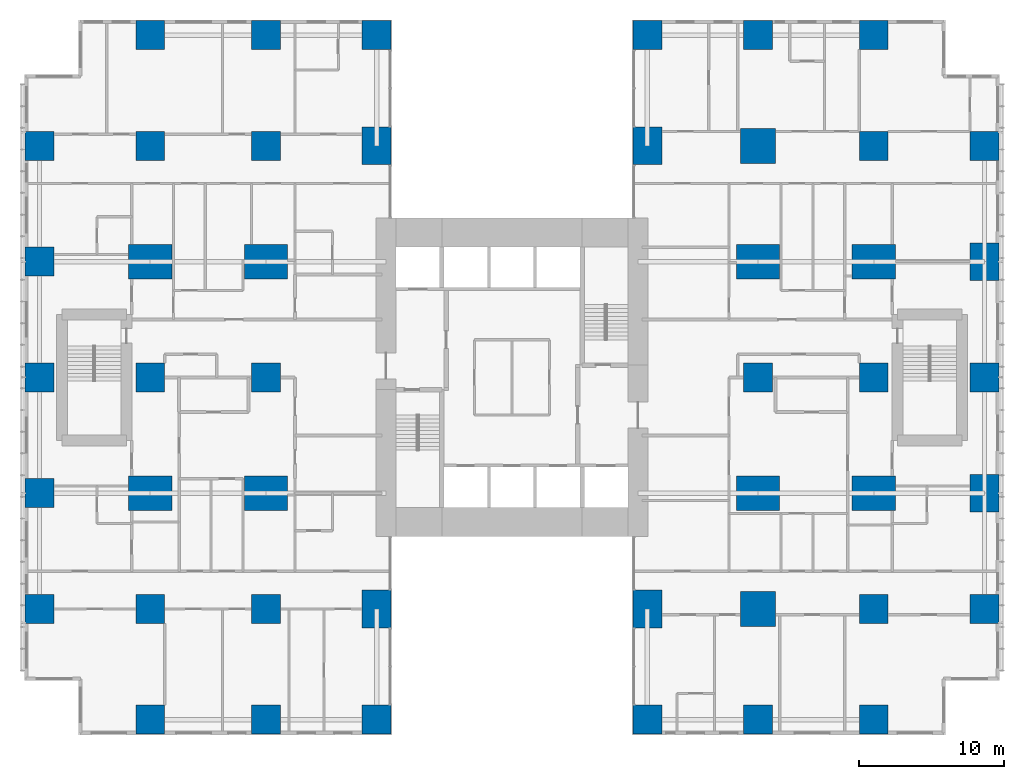
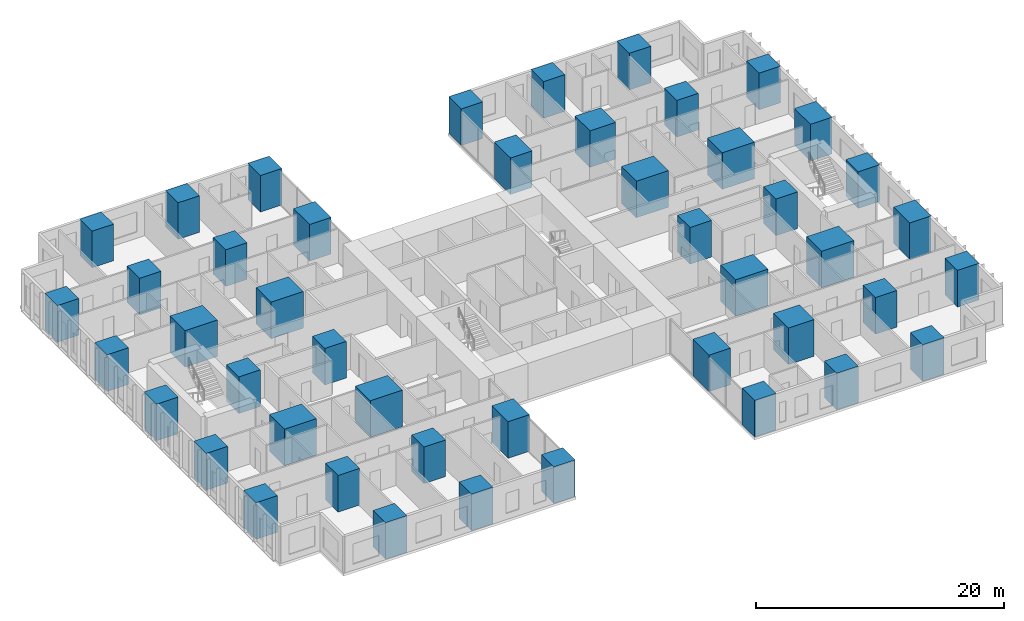
# One storey, part 1 of 20: 46 columns.
"""IFC4 building model written with IfcOpenShell, lengths in metres."""

from ifc_helpers import new_model, si_unit, direction, frame, origin, origin_2d, place, context, subcontext, project, spatial, rectangle, extrude, material, material_profile, profile_set, type_object, element, save


model = new_model("IFC4")

# Units and contexts
model_context = context("Model", 3, precision=1e-05, world=origin(), true_north=direction((0.0, 1.0)))
body_context = subcontext(model_context, "Body", "Model", "MODEL_VIEW")
ifc_project = project(units=[si_unit("LENGTHUNIT", "METRE"), si_unit("AREAUNIT", "SQUARE_METRE"), si_unit("VOLUMEUNIT", "CUBIC_METRE"), si_unit("PLANEANGLEUNIT", "RADIAN"), si_unit("MASSUNIT", "GRAM", prefix="KILO")], contexts=[model_context])

# Site, building, storey
site_placement = place(None, origin())
site = spatial("IfcSite", under=ifc_project, at=site_placement, CompositionType="ELEMENT")
building_placement = place(site_placement, origin())
building = spatial("IfcBuilding", under=site, at=building_placement, Name="Cleftline Residences", CompositionType="ELEMENT")
storey_placement = place(building_placement, frame((0.0, 0.0, 36.800048828125)))
storey = spatial("IfcBuildingStorey", under=building, at=storey_placement, Name="L08", CompositionType="ELEMENT", Elevation=36.800048828125)

# Columns
ifc_material_1 = material(Name="Concrete B70", Category="concrete")
ifc_material_profile_1 = material_profile(ifc_material_1, rectangle(XDim=2.0, YDim=2.0, at=origin_2d()))
ifc_profile_set_1 = profile_set([ifc_material_profile_1], Name="Concrete B70")
column_type_1 = type_object("IfcColumnType", Name="COLUMN RC2000X2000", PredefinedType="COLUMN", material=ifc_profile_set_1)
for number, where, z_axis, x_axis, name in (
    (1, (0.35009765625, 8.0, 0.0), (0.0, 0.0, 1.0), (1.0, 0.0, 0.0), "Column D/3"),
    (2, (0.35009765625, 16.0, 0.0), (0.0, 0.0, 1.0), (1.0, 0.0, 0.0), "Column E/3"),
    (3, (0.35009765625, 24.0, 0.0), (0.0, 0.0, 1.0), (1.0, 0.0, 0.0), "Column F/3"),
    (4, (0.35009765625, 32.0, 0.0), (0.0, 0.0, 1.0), (1.0, 0.0, 0.0), "Column G/3"),
    (5, (0.35009765625, 40.0, 0.0), (0.0, 0.0, 1.0), (1.0, 0.0, 0.0), "Column H/3"),
    (6, (8.0, 0.35009765625, 0.0), (0.0, 0.0, 1.0), (1.0, 0.0, 0.0), "Column C/4"),
    (7, (8.0, 8.0, 0.0), (0.0, 0.0, 1.0), (1.0, 0.0, 0.0), "Column D/4"),
    (8, (8.0, 24.0, 0.0), (0.0, 0.0, 1.0), (1.0, 0.0, 0.0), "Column F/4"),
    (9, (8.0, 40.0, 0.0), (0.0, 0.0, 1.0), (1.0, 0.0, 0.0), "Column H/4"),
    (10, (8.0, 47.64990234375, 0.0), (0.0, 0.0, 1.0), (1.0, 0.0, 0.0), "Column J/4"),
    (11, (16.0, 0.35009765625, 0.0), (0.0, 0.0, 1.0), (1.0, 0.0, 0.0), "Column C/5"),
    (12, (16.0, 8.0, 0.0), (0.0, 0.0, 1.0), (1.0, 0.0, 0.0), "Column D/5"),
    (13, (16.0, 24.0, 0.0), (0.0, 0.0, 1.0), (1.0, 0.0, 0.0), "Column F/5"),
    (14, (16.0, 40.0, 0.0), (0.0, 0.0, 1.0), (1.0, 0.0, 0.0), "Column H/5"),
    (15, (16.0, 47.64990234375, 0.0), (0.0, 0.0, 1.0), (1.0, 0.0, 0.0), "Column J/5"),
    (16, (23.64990234375, 0.35009765625, 0.0), (0.0, 0.0, 1.0), (1.0, 0.0, 0.0), "Column C/6"),
    (17, (23.64990234375, 47.64990234375, 0.0), (0.0, 0.0, 1.0), (1.0, 0.0, 0.0), "Column J/6"),
    (18, (42.35009765625, 0.35009765625, 0.0), (0.0, 0.0, 1.0), (1.0, 0.0, 0.0), "Column C/8"),
    (19, (42.35009765625, 47.64990234375, 0.0), (0.0, 0.0, 1.0), (1.0, 0.0, 0.0), "Column J/8"),
    (20, (50.0, 0.35009765625, 0.0), (0.0, 0.0, 1.0), (1.0, 0.0, 0.0), "Column C/9"),
    (21, (50.0, 24.0, 0.0), (0.0, 0.0, 1.0), (1.0, 0.0, 0.0), "Column F/9"),
    (22, (50.0, 47.64990234375, 0.0), (0.0, 0.0, 1.0), (1.0, 0.0, 0.0), "Column J/9"),
    (23, (58.0, 0.35009765625, 0.0), (0.0, 0.0, 1.0), (1.0, 0.0, 0.0), "Column C/10"),
    (24, (58.0, 8.0, 0.0), (0.0, 0.0, 1.0), (1.0, 0.0, 0.0), "Column D/10"),
    (25, (58.0, 24.0, 0.0), (0.0, 0.0, 1.0), (1.0, 0.0, 0.0), "Column F/10"),
    (26, (58.0, 40.0, 0.0), (0.0, 0.0, 1.0), (1.0, 0.0, 0.0), "Column H/10"),
    (27, (58.0, 47.64990234375, 0.0), (0.0, 0.0, 1.0), (1.0, 0.0, 0.0), "Column J/10"),
    (28, (65.64990234375, 8.0, 0.0), (0.0, 0.0, 1.0), (1.0, 0.0, 0.0), "Column D/11"),
    (29, (65.64990234375, 24.0, 0.0), (0.0, 0.0, 1.0), (1.0, 0.0, 0.0), "Column F/11"),
    (30, (65.64990234375, 40.0, 0.0), (0.0, 0.0, 1.0), (1.0, 0.0, 0.0), "Column H/11"),
):
    element("IfcColumn", number, at=place(storey_placement, frame(where, z_axis=z_axis, x_axis=x_axis)), inside=storey, type_object=column_type_1, Name=name, PredefinedType="COLUMN", context=body_context, shape_type="SweptSolid", body=[
        extrude(rectangle(XDim=2.0, YDim=2.0, at=origin_2d()), origin(), (0.0, 0.0, 1.0), 3.599853515625),
    ])
ifc_material_2 = material(Name="Concrete B70", Category="concrete")
ifc_material_profile_2 = material_profile(ifc_material_2, rectangle(XDim=2.0, YDim=2.60009765625, at=origin_2d()))
ifc_profile_set_2 = profile_set([ifc_material_profile_2], Name="Concrete B70")
column_type_2 = type_object("IfcColumnType", Name="COLUMN RC2000X2600", PredefinedType="COLUMN", material=ifc_profile_set_2)
for number, where, z_axis, x_axis, name in (
    (31, (23.64990234375, 8.0, 0.0), (0.0, 0.0, 1.0), (1.0, 0.0, 0.0), "Column D/6"),
    (32, (23.64990234375, 40.0, 0.0), (0.0, 0.0, 1.0), (1.0, 0.0, 0.0), "Column H/6"),
    (33, (42.35009765625, 8.0, 0.0), (0.0, 0.0, 1.0), (1.0, 0.0, 0.0), "Column D/8"),
    (34, (42.35009765625, 40.0, 0.0), (0.0, 0.0, 1.0), (1.0, 0.0, 0.0), "Column H/8"),
):
    element("IfcColumn", number, at=place(storey_placement, frame(where, z_axis=z_axis, x_axis=x_axis)), inside=storey, type_object=column_type_2, Name=name, PredefinedType="COLUMN", context=body_context, shape_type="SweptSolid", body=[
        extrude(rectangle(XDim=2.0, YDim=2.60009765625, at=origin_2d()), origin(), (0.0, 0.0, 1.0), 3.599853515625),
    ])
ifc_material_3 = material(Name="Concrete B70", Category="concrete")
ifc_material_profile_3 = material_profile(ifc_material_3, rectangle(XDim=2.39990234375, YDim=2.39990234375, at=origin_2d()))
ifc_profile_set_3 = profile_set([ifc_material_profile_3], Name="Concrete B70")
column_type_3 = type_object("IfcColumnType", Name="COLUMN RC2400X2400", PredefinedType="COLUMN", material=ifc_profile_set_3)
for number, where, z_axis, x_axis, name in (
    (35, (50.0, 8.0, 0.0), (0.0, 0.0, 1.0), (1.0, 0.0, 0.0), "Column D/9"),
    (36, (50.0, 40.0, 0.0), (0.0, 0.0, 1.0), (1.0, 0.0, 0.0), "Column H/9"),
):
    element("IfcColumn", number, at=place(storey_placement, frame(where, z_axis=z_axis, x_axis=x_axis)), inside=storey, type_object=column_type_3, Name=name, PredefinedType="COLUMN", context=body_context, shape_type="SweptSolid", body=[
        extrude(rectangle(XDim=2.39990234375, YDim=2.39990234375, at=origin_2d()), origin(), (0.0, 0.0, 1.0), 3.599853515625),
    ])
ifc_material_4 = material(Name="Concrete B70", Category="concrete")
ifc_material_profile_4 = material_profile(ifc_material_4, rectangle(XDim=2.60009765625, YDim=2.0, at=origin_2d()))
ifc_profile_set_4 = profile_set([ifc_material_profile_4], Name="Concrete B70")
column_type_4 = type_object("IfcColumnType", Name="COLUMN RC2600X2000", PredefinedType="COLUMN", material=ifc_profile_set_4)
for number, where, z_axis, x_axis, name in (
    (37, (65.64990234375, 16.0, 0.0), (0.0, 0.0, 1.0), (0.0, 1.0, 0.0), "Column E/11"),
    (38, (65.64990234375, 32.0, 0.0), (0.0, 0.0, 1.0), (0.0, 1.0, 0.0), "Column G/11"),
):
    element("IfcColumn", number, at=place(storey_placement, frame(where, z_axis=z_axis, x_axis=x_axis)), inside=storey, type_object=column_type_4, Name=name, PredefinedType="COLUMN", context=body_context, shape_type="SweptSolid", body=[
        extrude(rectangle(XDim=2.60009765625, YDim=2.0, at=origin_2d()), origin(), (0.0, 0.0, 1.0), 3.599853515625),
    ])
ifc_material_5 = material(Name="Concrete B70", Category="concrete")
ifc_material_profile_5 = material_profile(ifc_material_5, rectangle(XDim=3.0, YDim=2.39990234375, at=origin_2d()))
ifc_profile_set_5 = profile_set([ifc_material_profile_5], Name="Concrete B70")
column_type_5 = type_object("IfcColumnType", Name="COLUMN RC3000X2400", PredefinedType="COLUMN", material=ifc_profile_set_5)
for number, where, z_axis, x_axis, name in (
    (39, (8.0, 16.0, 0.0), (0.0, 0.0, 1.0), (1.0, 0.0, 0.0), "Column E/4"),
    (40, (8.0, 32.0, 0.0), (0.0, 0.0, 1.0), (1.0, 0.0, 0.0), "Column G/4"),
    (41, (16.0, 16.0, 0.0), (0.0, 0.0, 1.0), (1.0, 0.0, 0.0), "Column E/5"),
    (42, (16.0, 32.0, 0.0), (0.0, 0.0, 1.0), (1.0, 0.0, 0.0), "Column G/5"),
    (43, (50.0, 16.0, 0.0), (0.0, 0.0, 1.0), (1.0, 0.0, 0.0), "Column E/9"),
    (44, (50.0, 32.0, 0.0), (0.0, 0.0, 1.0), (1.0, 0.0, 0.0), "Column G/9"),
    (45, (58.0, 16.0, 0.0), (0.0, 0.0, 1.0), (1.0, 0.0, 0.0), "Column E/10"),
    (46, (58.0, 32.0, 0.0), (0.0, 0.0, 1.0), (1.0, 0.0, 0.0), "Column G/10"),
):
    element("IfcColumn", number, at=place(storey_placement, frame(where, z_axis=z_axis, x_axis=x_axis)), inside=storey, type_object=column_type_5, Name=name, PredefinedType="COLUMN", context=body_context, shape_type="SweptSolid", body=[
        extrude(rectangle(XDim=3.0, YDim=2.39990234375, at=origin_2d()), origin(), (0.0, 0.0, 1.0), 3.599853515625),
    ])

save(model, "model.ifc")
